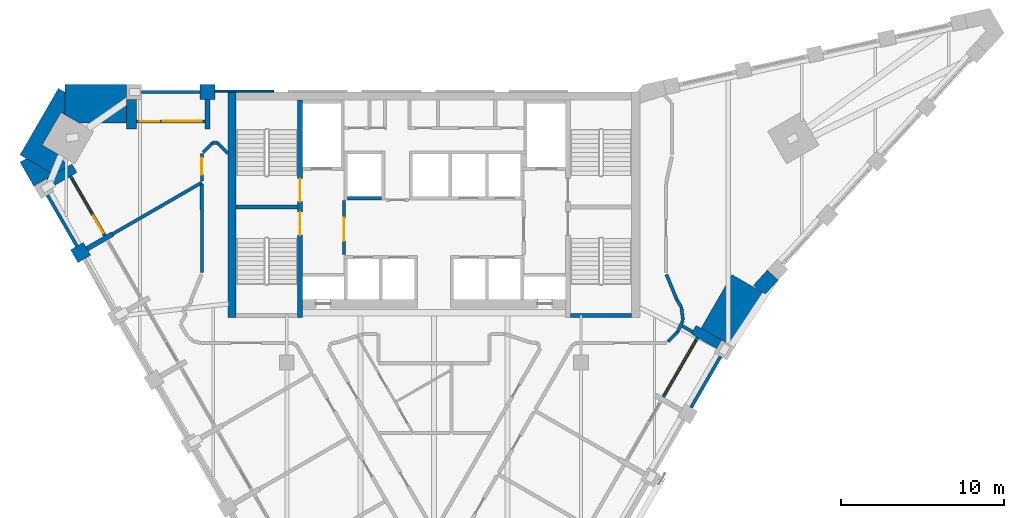
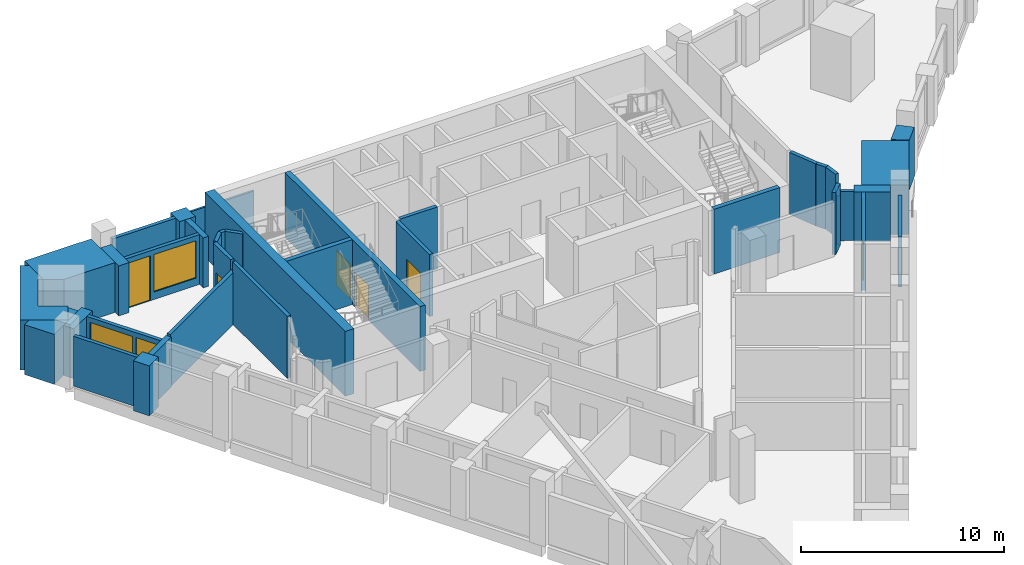
# One storey, part 5 of 9: 37 walls, 6 doors, 3 windows, 9 openings.
"""IFC4 building model written with IfcOpenShell, lengths in metres."""

from ifc_helpers import new_model, si_unit, direction, frame, frame_2d, origin, place, context, subcontext, project, spatial, polyline, rectangle, outline, extrude, material, layer, layer_set, type_object, element, fill, save


model = new_model("IFC4")

# Units and contexts
model_context = context("Model", 3, precision=1e-05, world=origin(), true_north=direction((0.0, 1.0)))
body_context = subcontext(model_context, "Body", "Model", "MODEL_VIEW")
ifc_project = project(units=[si_unit("LENGTHUNIT", "METRE"), si_unit("AREAUNIT", "SQUARE_METRE"), si_unit("VOLUMEUNIT", "CUBIC_METRE"), si_unit("PLANEANGLEUNIT", "RADIAN"), si_unit("MASSUNIT", "GRAM", prefix="KILO")], contexts=[model_context])

# Site, building, storey
site_placement = place(None, origin())
site = spatial("IfcSite", under=ifc_project, at=site_placement, CompositionType="ELEMENT")
building_placement = place(site_placement, origin())
building = spatial("IfcBuilding", under=site, at=building_placement, Name="Calabash Gate Tower", CompositionType="ELEMENT")
storey_placement = place(building_placement, frame((0.0, 0.0, 256.0)))
storey = spatial("IfcBuildingStorey", under=building, at=storey_placement, Name="L61", CompositionType="ELEMENT", Elevation=256.0)

# Walls
ifc_material_1 = material(Name="Terracotta brick masonry, exposed face", Category="masonry")
ifc_layer_1 = layer(ifc_material_1, 2.35009765625)
ifc_layer_set_1 = layer_set([ifc_layer_1], Name="Brick corner mass wall 2350")
wall_type_1 = type_object("IfcWallType", Name="Brick corner mass wall 2350", PredefinedType="SOLIDWALL", material=ifc_layer_set_1)
wall_1_placement = place(storey_placement, origin())
element("IfcWall", 1, at=wall_1_placement, inside=storey, type_object=wall_type_1, Name="Brick corner pier S17 2", PredefinedType="SOLIDWALL", context=body_context, shape_type="SweptSolid", body=[
    extrude(outline(polyline([(18.377685546875, 3.423828125), (18.377685546875, 3.423583984375), (18.377685546875, 3.423583984375), (20.271240234375, 6.703125), (18.236083984375, 7.878173828125), (16.342529296875, 4.5986328125), (17.598388671875, 3.873779296875), (17.598388671875, 3.873779296875), (18.377685546875, 3.423828125)])), origin(), (0.0, 0.0, 1.0), 2.9736328125),
])
wall_2_placement = place(storey_placement, origin())
element("IfcWall", 2, at=wall_2_placement, inside=storey, type_object=wall_type_1, Name="Brick corner pier S17 3a", PredefinedType="SOLIDWALL", context=body_context, shape_type="SweptSolid", body=[
    extrude(outline(polyline([(-21.698974609375, 17.152587890625), (-18.805419921875, 17.152587890625), (-18.805419921875, 19.50244140625), (-22.59228515625, 19.50244140625), (-22.59228515625, 17.66845703125), (-21.698974609375, 17.152587890625)])), origin(), (0.0, 0.0, 1.0), 3.0),
])
wall_3_placement = place(storey_placement, origin())
element("IfcWall", 3, at=wall_3_placement, inside=storey, type_object=wall_type_1, Name="Brick corner pier S17 3b", PredefinedType="SOLIDWALL", context=body_context, shape_type="SweptSolid", body=[
    extrude(outline(polyline([(-22.822021484375, 17.801025390625), (-22.59228515625, 17.66845703125), (-22.59228515625, 19.052490234375), (-22.98193359375, 19.277587890625), (-25.331298828125, 15.20849609375), (-23.296142578125, 14.033447265625), (-22.6962890625, 15.072509765625), (-23.971923828125, 15.80908203125), (-22.822021484375, 17.801025390625)])), origin(), (0.0, 0.0, 1.0), 3.0),
])
wall_4_placement = place(storey_placement, origin())
element("IfcWall", 4, at=wall_4_placement, inside=storey, type_object=wall_type_1, Name="Brick corner pier S17 3c", PredefinedType="SOLIDWALL", context=body_context, shape_type="SweptSolid", body=[
    extrude(outline(polyline([(-22.747802734375, 14.9833984375), (-23.296142578125, 14.033447265625), (-24.941650390625, 14.9833984375), (-25.331298828125, 14.758544921875), (-24.487548828125, 13.296875), (-22.452392578125, 14.471923828125), (-22.747802734375, 14.9833984375)])), origin(), (0.0, 0.0, 1.0), 3.0),
])
ifc_material_2 = material(Name="Terracotta brick masonry, exposed face", Category="masonry")
ifc_layer_2 = layer(ifc_material_2, 0.89990234375)
ifc_layer_set_2 = layer_set([ifc_layer_2], Name="Brick end wall 900")
wall_type_2 = type_object("IfcWallType", Name="Brick end wall 900", PredefinedType="SOLIDWALL", material=ifc_layer_set_2)
wall_5_placement = place(storey_placement, frame((-21.39794921875, 8.845458984375, 0.0), z_axis=(0.0, 0.0, 1.0), x_axis=(-0.50001992892, 0.866013897511, 0.0)))
element("IfcWall", 5, at=wall_5_placement, inside=storey, type_object=wall_type_2, Name="Brick pier S17 SW0.1", PredefinedType="SOLIDWALL", context=body_context, shape_type="SweptSolid", body=[
    extrude(rectangle(XDim=0.89990234375, YDim=0.89990234375, at=frame_2d((0.449951171875, 0.0))), origin(), (0.0, 0.0, 1.0), 3.0),
])
wall_6_placement = place(storey_placement, origin())
element("IfcWall", 6, at=wall_6_placement, inside=storey, type_object=wall_type_2, Name="Brick pier S17 N6.5", PredefinedType="SOLIDWALL", context=body_context, shape_type="SweptSolid", body=[
    extrude(outline(polyline([(-13.405517578125, 19.50244140625), (-14.305419921875, 19.50244140625), (-14.305419921875, 18.6025390625), (-13.405517578125, 18.6025390625), (-13.405517578125, 19.50244140625)])), origin(), (0.0, 0.0, 1.0), 3.0),
])
wall_7_placement = place(storey_placement, origin())
element("IfcWall", 7, at=wall_7_placement, inside=storey, type_object=wall_type_2, Name="Brick end wall S17 1", PredefinedType="SOLIDWALL", context=body_context, shape_type="SweptSolid", body=[
    extrude(outline(polyline([(20.394775390625, 8.15625), (19.54931640625, 7.23193359375), (19.88134765625, 6.92822265625), (20.271240234375, 6.703125), (20.24658203125, 6.66064453125), (21.058837890625, 7.548828125), (20.394775390625, 8.15625)])), origin(), (0.0, 0.0, 1.0), 3.0),
])
ifc_material_3 = material(Name="Terracotta brick masonry, exposed face", Category="masonry")
ifc_layer_3 = layer(ifc_material_3, 0.300048828125)
ifc_layer_set_3 = layer_set([ifc_layer_3], Name="Brick loggia cheek wall 300")
wall_type_3 = type_object("IfcWallType", Name="Brick loggia cheek wall 300", PredefinedType="SOLIDWALL", material=ifc_layer_set_3)
wall_8_placement = place(storey_placement, frame((-23.55810546875, 13.487060546875, 0.0), z_axis=(0.0, 0.0, 1.0), x_axis=(0.865989075817, 0.500062916607, 0.0)))
element("IfcWall", 8, at=wall_8_placement, inside=storey, type_object=wall_type_3, Name="Loggia cheek S17 SW0.0", PredefinedType="SOLIDWALL", context=body_context, shape_type="SweptSolid", body=[
    extrude(rectangle(XDim=1.800048828125, YDim=0.60009765625, at=frame_2d((0.89990234375, 0.0))), origin(), (0.0, 0.0, 1.0), 3.0),
])
wall_9_placement = place(storey_placement, frame((-21.233154296875, 9.460205078125, 0.0), z_axis=(0.0, 0.0, 1.0), x_axis=(0.866047807691, 0.499961193289, 0.0)))
element("IfcWall", 9, at=wall_9_placement, inside=storey, type_object=wall_type_3, Name="Loggia cheek S17 SW0.1", PredefinedType="SOLIDWALL", context=body_context, shape_type="SweptSolid", body=[
    extrude(rectangle(XDim=1.800048828125, YDim=0.300048828125, at=frame_2d((0.89990234375, 0.0))), origin(), (0.0, 0.0, 1.0), 3.0),
])
wall_10_placement = place(storey_placement, frame((17.4482421875, 3.61376953125, 0.0), z_axis=(0.0, 0.0, 1.0), x_axis=(-0.865989075817, 0.500062916607, 0.0)))
element("IfcWall", 10, at=wall_10_placement, inside=storey, type_object=wall_type_3, Name="Loggia cheek S17 SE2.6", PredefinedType="SOLIDWALL", context=body_context, shape_type="SweptSolid", body=[
    extrude(rectangle(XDim=1.800048828125, YDim=0.60009765625, at=frame_2d((0.89990234375, 0.0))), origin(), (0.0, 0.0, 1.0), 2.9501953125),
])
wall_11_placement = place(storey_placement, origin())
element("IfcWall", 11, at=wall_11_placement, inside=storey, type_object=wall_type_3, Name="Loggia cheek S17 N6.5", PredefinedType="SOLIDWALL", context=body_context, shape_type="SweptSolid", body=[
    extrude(outline(polyline([(-13.705322265625, 16.802490234375), (-13.705322265625, 18.6025390625), (-14.00537109375, 18.6025390625), (-14.00537109375, 16.802490234375), (-13.705322265625, 16.802490234375)])), origin(), (0.0, 0.0, 1.0), 3.0),
])
wall_12_placement = place(storey_placement, origin())
element("IfcWall", 12, at=wall_12_placement, inside=storey, type_object=wall_type_3, Name="Loggia cheek S17 N6.6", PredefinedType="SOLIDWALL", context=body_context, shape_type="SweptSolid", body=[
    extrude(outline(polyline([(-18.805419921875, 18.6025390625), (-18.805419921875, 16.802490234375), (-18.205322265625, 16.802490234375), (-18.205322265625, 18.6025390625), (-18.805419921875, 18.6025390625)])), origin(), (0.0, 0.0, 1.0), 3.0),
])
ifc_material_4 = material(Name="Concrete C60/75", Category="concrete")
ifc_layer_4 = layer(ifc_material_4, 0.25)
ifc_layer_set_4 = layer_set([ifc_layer_4], Name="Core wall 250 Concrete C60/75")
wall_type_4 = type_object("IfcWallType", Name="Core wall 250 Concrete C60/75", PredefinedType="SHEAR", material=ifc_layer_set_4)
for number, where, z_axis, x_axis, name in (
    (13, (-12.10009765625, 12.027587890625, 0.0), (0.0, 0.0, 1.0), (1.0, 0.0, 0.0), "Core wall Z5-MIDW L61"),
    (14, (8.35009765625, 5.377685546875, 0.0), (0.0, 0.0, 1.0), (1.0, 0.0, 0.0), "Core wall Z5-SSE L61"),
):
    element("IfcWall", number, at=place(storey_placement, frame(where, z_axis=z_axis, x_axis=x_axis)), inside=storey, type_object=wall_type_4, Name=name, PredefinedType="SHEAR", context=body_context, shape_type="SweptSolid", body=[
        extrude(rectangle(XDim=3.75, YDim=0.25, at=frame_2d((1.875, 0.0))), origin(), (0.0, 0.0, 1.0), 3.89990234375),
    ])

# Wall, openings, doors
ifc_material_5 = material(Name="Concrete C60/75", Category="concrete")
ifc_layer_5 = layer(ifc_material_5, 0.300048828125)
ifc_layer_set_5 = layer_set([ifc_layer_5], Name="Core wall 300 Concrete C60/75")
wall_type_5 = type_object("IfcWallType", Name="Core wall 300 Concrete C60/75", PredefinedType="SHEAR", material=ifc_layer_set_5)
wall_13_placement = place(storey_placement, frame((-8.199951171875, 5.252685546875, 0.0), z_axis=(0.0, 0.0, 1.0), x_axis=(0.0, 1.0, 0.0)))
wall_13 = element("IfcWall", 15, at=wall_13_placement, inside=storey, type_object=wall_type_5, Name="Core wall Z5-PARTW L61", PredefinedType="SHEAR", context=body_context, shape_type="SweptSolid", body=[
    extrude(rectangle(XDim=13.2998046875, YDim=0.300048828125, at=frame_2d((6.64990234375, 0.0))), origin(), (0.0, 0.0, 1.0), 3.89990234375),
])
opening_1_placement = place(wall_13_placement, frame((7.10009765625, 0.0, 0.0)))
opening_1 = element("IfcOpeningElement", 16, at=opening_1_placement, cuts=wall_13, Name="Opening O9-011", PredefinedType="OPENING", context=body_context, shape_type="SweptSolid", body=[
    extrude(rectangle(XDim=1.39990234375, YDim=2.10009765625, at=frame_2d((0.699951171875, 1.050048828125))), frame((0.0, 0.159912109375, 0.0), z_axis=(0.0, -1.0, 0.0), x_axis=(1.0, 0.0, 0.0)), (0.0, 0.0, 1.0), 0.320068359375),
])
opening_2_placement = place(wall_13_placement, frame((5.050048828125, 0.0, 0.0)))
opening_2 = element("IfcOpeningElement", 17, at=opening_2_placement, cuts=wall_13, Name="Opening O9-012", PredefinedType="OPENING", context=body_context, shape_type="SweptSolid", body=[
    extrude(rectangle(XDim=1.39990234375, YDim=2.10009765625, at=frame_2d((0.699951171875, 1.050048828125))), frame((0.0, 0.159912109375, 0.0), z_axis=(0.0, -1.0, 0.0), x_axis=(1.0, 0.0, 0.0)), (0.0, 0.0, 1.0), 0.320068359375),
])
ifc_material_6 = material(Name="Steel fire door set with fire-resisting glazing", Category="steel")
door_type_1 = type_object("IfcDoorType", Name="Fire door D05 1400x2100 FD90", OperationType="NOTDEFINED", PredefinedType="DOOR", material=ifc_material_6)
door_1_placement = place(opening_1_placement, origin())
door_1 = element("IfcDoor", 18, at=door_1_placement, inside=storey, type_object=door_type_1, Name="Exit stair door ST1", OperationType="SINGLE_SWING_LEFT", OverallHeight=2.10009765625, OverallWidth=1.39990234375, PredefinedType="DOOR", context=body_context, shape_type="SweptSolid", body=[
    extrude(rectangle(XDim=1.39990234375, YDim=2.10009765625, at=frame_2d((0.699951171875, 1.050048828125))), frame((0.0, 0.02490234375, 0.0), z_axis=(0.0, -1.0, 0.0), x_axis=(1.0, 0.0, 0.0)), (0.0, 0.0, 1.0), 0.050048828125),
])
fill(opening_1, door_1)
door_2_placement = place(opening_2_placement, origin())
door_2 = element("IfcDoor", 19, at=door_2_placement, inside=storey, type_object=door_type_1, Name="Exit stair door ST2", OperationType="SINGLE_SWING_LEFT", OverallHeight=2.10009765625, OverallWidth=1.39990234375, PredefinedType="DOOR", context=body_context, shape_type="SweptSolid", body=[
    extrude(rectangle(XDim=1.39990234375, YDim=2.10009765625, at=frame_2d((0.699951171875, 1.050048828125))), frame((0.0, 0.02490234375, 0.0), z_axis=(0.0, -1.0, 0.0), x_axis=(1.0, 0.0, 0.0)), (0.0, 0.0, 1.0), 0.050048828125),
])
fill(opening_2, door_2)

# Walls
ifc_material_7 = material(Name="Concrete C60/75", Category="concrete")
ifc_layer_6 = layer(ifc_material_7, 0.5)
ifc_layer_set_6 = layer_set([ifc_layer_6], Name="Core wall 500 Concrete C60/75")
wall_type_6 = type_object("IfcWallType", Name="Core wall 500 Concrete C60/75", PredefinedType="SHEAR", material=ifc_layer_set_6)
wall_14_placement = place(storey_placement, frame((-12.35009765625, 5.252685546875, 0.0), z_axis=(0.0, 0.0, 1.0), x_axis=(0.0, 1.0, 0.0)))
element("IfcWall", 20, at=wall_14_placement, inside=storey, type_object=wall_type_6, Name="Core wall Z5-COLW L61", PredefinedType="SHEAR", context=body_context, shape_type="SweptSolid", body=[
    extrude(rectangle(XDim=13.7998046875, YDim=0.5, at=frame_2d((6.89990234375, 0.0))), origin(), (0.0, 0.0, 1.0), 3.89990234375),
])
ifc_material_8 = material(Name="Gypsum board on steel studs, mineral wool", Category="steel")
ifc_layer_7 = layer(ifc_material_8, 0.199951171875)
ifc_layer_set_7 = layer_set([ifc_layer_7], Name="Partition 200 gypsum board EI 60")
wall_type_7 = type_object("IfcWallType", Name="Partition 200 gypsum board EI 60", PredefinedType="PARTITIONING", material=ifc_layer_set_7)
wall_15_placement = place(storey_placement, frame((14.310791015625, 3.770263671875, 0.0), z_axis=(0.0, 0.0, 1.0), x_axis=(0.707253195258, 0.706960336792, 0.0)))
element("IfcWall", 21, at=wall_15_placement, inside=storey, type_object=wall_type_7, Name="Partition", PredefinedType="PARTITIONING", context=body_context, shape_type="SweptSolid", body=[
    extrude(rectangle(XDim=0.833740234375, YDim=0.199951171875, at=frame_2d((0.4169921875, 0.0))), origin(), (0.0, 0.0, 1.0), 3.72998046875),
])
wall_16_placement = place(storey_placement, frame((14.900390625, 4.359619140625, 0.0), z_axis=(0.0, 0.0, 1.0), x_axis=(0.423133460634, 0.906067367524, 0.0)))
element("IfcWall", 22, at=wall_16_placement, inside=storey, type_object=wall_type_7, Name="Partition", PredefinedType="PARTITIONING", context=body_context, shape_type="SweptSolid", body=[
    extrude(rectangle(XDim=0.808349609375, YDim=0.199951171875, at=frame_2d((0.404296875, 0.0))), origin(), (0.0, 0.0, 1.0), 2.9501953125),
])
wall_17_placement = place(storey_placement, frame((15.189697265625, 4.74267578125, 0.0), z_axis=(0.0, 0.0, 1.0), x_axis=(0.867114884312, -0.498108198491, 0.0)))
element("IfcWall", 23, at=wall_17_placement, inside=storey, type_object=wall_type_7, Name="Partition", PredefinedType="PARTITIONING", context=body_context, shape_type="SweptSolid", body=[
    extrude(rectangle(XDim=0.720458984375, YDim=0.199951171875, at=frame_2d((0.3603515625, 0.0))), origin(), (0.0, 0.0, 1.0), 2.9501953125),
])
wall_18_placement = place(storey_placement, frame((15.137451171875, 5.88916015625, 0.0), z_axis=(0.0, 0.0, 1.0), x_axis=(0.130572336197, -0.991438785312, 0.0)))
element("IfcWall", 24, at=wall_18_placement, inside=storey, type_object=wall_type_7, Name="Partition", PredefinedType="PARTITIONING", context=body_context, shape_type="SweptSolid", body=[
    extrude(rectangle(XDim=0.803955078125, YDim=0.199951171875, at=frame_2d((0.40185546875, 0.0))), origin(), (0.0, 0.0, 1.0), 3.72998046875),
])
wall_19_placement = place(storey_placement, frame((14.8505859375, 6.37353515625, 0.0), z_axis=(0.0, 0.0, 1.0), x_axis=(0.509576505793, -0.860425351058, 0.0)))
element("IfcWall", 25, at=wall_19_placement, inside=storey, type_object=wall_type_7, Name="Partition", PredefinedType="PARTITIONING", context=body_context, shape_type="SweptSolid", body=[
    extrude(rectangle(XDim=0.56298828125, YDim=0.199951171875, at=frame_2d((0.281494140625, 0.0))), origin(), (0.0, 0.0, 1.0), 3.72998046875),
])
wall_20_placement = place(storey_placement, frame((14.22509765625, 7.892822265625, 0.0), z_axis=(0.0, 0.0, 1.0), x_axis=(0.380697489052, -0.924699638709, 0.0)))
element("IfcWall", 26, at=wall_20_placement, inside=storey, type_object=wall_type_7, Name="Partition", PredefinedType="PARTITIONING", context=body_context, shape_type="SweptSolid", body=[
    extrude(rectangle(XDim=1.64306640625, YDim=0.199951171875, at=frame_2d((0.821533203125, 0.0))), origin(), (0.0, 0.0, 1.0), 3.72998046875),
])
wall_21_placement = place(storey_placement, frame((-14.201904296875, 13.41943359375, 0.0), z_axis=(0.0, 0.0, 1.0), x_axis=(0.000271161919, -0.999999963236, 0.0)))
element("IfcWall", 27, at=wall_21_placement, inside=storey, type_object=wall_type_7, Name="Partition", PredefinedType="PARTITIONING", context=body_context, shape_type="SweptSolid", body=[
    extrude(rectangle(XDim=5.402099609375, YDim=0.199951171875, at=frame_2d((2.701171875, 0.0))), origin(), (0.0, 0.0, 1.0), 3.72998046875),
])
wall_22_placement = place(storey_placement, frame((-19.67431640625, 10.3603515625, 0.0), z_axis=(0.0, 0.0, 1.0), x_axis=(0.866038288688, 0.499977682029, 0.0)))
element("IfcWall", 28, at=wall_22_placement, inside=storey, type_object=wall_type_7, Name="Partition", PredefinedType="PARTITIONING", context=body_context, shape_type="SweptSolid", body=[
    extrude(rectangle(XDim=6.320556640625, YDim=0.199951171875, at=frame_2d((3.16015625, 0.0))), origin(), (0.0, 0.0, 1.0), 3.1279296875),
])

# Wall, opening, door
wall_23_placement = place(storey_placement, frame((-14.200439453125, 13.62060546875, 0.0), z_axis=(0.0, 0.0, 1.0), x_axis=(0.0, 1.0, 0.0)))
wall_23 = element("IfcWall", 29, at=wall_23_placement, inside=storey, type_object=wall_type_7, Name="Partition", PredefinedType="PARTITIONING", context=body_context, shape_type="SweptSolid", body=[
    extrude(rectangle(XDim=1.67236328125, YDim=0.199951171875, at=frame_2d((0.836181640625, 0.0))), origin(), (0.0, 0.0, 1.0), 3.72998046875),
])
opening_3_placement = place(wall_23_placement, frame((0.385009765625, 0.0, 0.0)))
opening_3 = element("IfcOpeningElement", 30, at=opening_3_placement, cuts=wall_23, Name="Opening 59-61-009", PredefinedType="OPENING", context=body_context, shape_type="SweptSolid", body=[
    extrude(rectangle(XDim=1.0, YDim=2.10009765625, at=frame_2d((0.5, 1.050048828125))), frame((0.0, 0.10986328125, 0.0), z_axis=(0.0, -1.0, 0.0), x_axis=(1.0, 0.0, 0.0)), (0.0, 0.0, 1.0), 0.219970703125),
])
ifc_material_9 = material(Name="Steel fire door set with fire-resisting glazing", Category="steel")
door_type_2 = type_object("IfcDoorType", Name="LD2 Meeting room door 1000x2100", OperationType="NOTDEFINED", PredefinedType="DOOR", material=ifc_material_9)
door_3_placement = place(opening_3_placement, origin())
door_3 = element("IfcDoor", 31, at=door_3_placement, inside=storey, type_object=door_type_2, Name="Meeting room door", OperationType="SINGLE_SWING_LEFT", OverallHeight=2.10009765625, OverallWidth=1.0, PredefinedType="DOOR", context=body_context, shape_type="SweptSolid", body=[
    extrude(rectangle(XDim=1.0, YDim=2.10009765625, at=frame_2d((0.5, 1.050048828125))), frame((0.0, 0.02490234375, 0.0), z_axis=(0.0, -1.0, 0.0), x_axis=(1.0, 0.0, 0.0)), (0.0, 0.0, 1.0), 0.050048828125),
])
fill(opening_3, door_3)

# Walls
wall_24_placement = place(storey_placement, frame((-14.129638671875, 15.363525390625, 0.0), z_axis=(0.0, 0.0, 1.0), x_axis=(0.707106781187, 0.707106781187, 0.0)))
element("IfcWall", 32, at=wall_24_placement, inside=storey, type_object=wall_type_7, Name="Partition", PredefinedType="PARTITIONING", context=body_context, shape_type="SweptSolid", body=[
    extrude(rectangle(XDim=0.833740234375, YDim=0.199951171875, at=frame_2d((0.4169921875, 0.0))), origin(), (0.0, 0.0, 1.0), 3.72998046875),
])
wall_25_placement = place(storey_placement, frame((-13.5400390625, 15.953125, 0.0), z_axis=(0.0, 0.0, 1.0), x_axis=(0.99999962061, -0.000871079809, 0.0)))
element("IfcWall", 33, at=wall_25_placement, inside=storey, type_object=wall_type_7, Name="Partition", PredefinedType="PARTITIONING", context=body_context, shape_type="SweptSolid", body=[
    extrude(rectangle(XDim=0.2802734375, YDim=0.199951171875, at=frame_2d((0.14013671875, 0.0))), origin(), (0.0, 0.0, 1.0), 3.72998046875),
])
wall_26_placement = place(storey_placement, frame((-13.259765625, 15.952880859375, 0.0), z_axis=(0.0, 0.0, 1.0), x_axis=(0.708285399161, -0.705926195389, 0.0)))
element("IfcWall", 34, at=wall_26_placement, inside=storey, type_object=wall_type_7, Name="Partition", PredefinedType="PARTITIONING", context=body_context, shape_type="SweptSolid", body=[
    extrude(rectangle(XDim=0.931396484375, YDim=0.199951171875, at=frame_2d((0.4658203125, 0.0))), origin(), (0.0, 0.0, 1.0), 3.72998046875),
])

# Wall, opening, door
ifc_material_10 = material(Name="Concrete C40/50", Category="concrete")
ifc_layer_8 = layer(ifc_material_10, 0.199951171875)
ifc_layer_set_8 = layer_set([ifc_layer_8], Name="Shaft wall 200 Concrete C40/50")
wall_type_8 = type_object("IfcWallType", Name="Shaft wall 200 Concrete C40/50", PredefinedType="SOLIDWALL", material=ifc_layer_set_8)
wall_27_placement = place(storey_placement, frame((-5.5, 9.1025390625, 0.0), z_axis=(0.0, 0.0, 1.0), x_axis=(0.0, 1.0, 0.0)))
wall_27 = element("IfcWall", 35, at=wall_27_placement, inside=storey, type_object=wall_type_8, Name="Shaft wall", PredefinedType="SOLIDWALL", context=body_context, shape_type="SweptSolid", body=[
    extrude(rectangle(XDim=3.300048828125, YDim=0.199951171875, at=frame_2d((1.64990234375, 0.0))), origin(), (0.0, 0.0, 1.0), 3.72998046875),
])
opening_4_placement = place(wall_27_placement, frame((0.85009765625, 0.0, 0.0)))
opening_4 = element("IfcOpeningElement", 36, at=opening_4_placement, cuts=wall_27, Name="Opening O9-003", PredefinedType="OPENING", context=body_context, shape_type="SweptSolid", body=[
    extrude(rectangle(XDim=1.39990234375, YDim=2.10009765625, at=frame_2d((0.699951171875, 1.050048828125))), frame((0.0, 0.10986328125, 0.0), z_axis=(0.0, -1.0, 0.0), x_axis=(1.0, 0.0, 0.0)), (0.0, 0.0, 1.0), 0.219970703125),
])
door_4_placement = place(opening_4_placement, origin())
door_4 = element("IfcDoor", 37, at=door_4_placement, inside=storey, type_object=door_type_1, Name="Firefighting Lobby W door", OperationType="SINGLE_SWING_RIGHT", OverallHeight=2.10009765625, OverallWidth=1.39990234375, PredefinedType="DOOR", context=body_context, shape_type="SweptSolid", body=[
    extrude(rectangle(XDim=1.39990234375, YDim=2.10009765625, at=frame_2d((0.699951171875, 1.050048828125))), frame((0.0, 0.02490234375, 0.0), z_axis=(0.0, -1.0, 0.0), x_axis=(1.0, 0.0, 0.0)), (0.0, 0.0, 1.0), 0.050048828125),
])
fill(opening_4, door_4)

# Walls
wall_28_placement = place(storey_placement, frame((-5.300048828125, 12.552490234375, 0.0), z_axis=(0.0, 0.0, 1.0), x_axis=(1.0, 0.0, 0.0)))
element("IfcWall", 38, at=wall_28_placement, inside=storey, type_object=wall_type_8, Name="Shaft wall", PredefinedType="SOLIDWALL", context=body_context, shape_type="SweptSolid", body=[
    extrude(rectangle(XDim=2.10009765625, YDim=0.199951171875, at=frame_2d((1.050048828125, 0.0))), origin(), (0.0, 0.0, 1.0), 3.72998046875),
])
ifc_material_11 = material(Name="Terracotta brick masonry, perforated", Category="masonry")
ifc_layer_9 = layer(ifc_material_11, 0.1201171875)
ifc_layer_set_9 = layer_set([ifc_layer_9], Name="Terracotta jaali cladding A 120")
wall_type_9 = type_object("IfcWallType", Name="Terracotta jaali cladding A 120", PredefinedType="SOLIDWALL", material=ifc_layer_set_9)
wall_29_placement = place(storey_placement, origin())
element("IfcWall", 39, at=wall_29_placement, inside=storey, type_object=wall_type_9, Name="Jaali cladding S17 N6.5", PredefinedType="SOLIDWALL", context=body_context, shape_type="SweptSolid", body=[
    extrude(outline(polyline([(-13.405029296875, 19.172607421875), (-13.405029296875, 19.052490234375), (-9.805419921875, 19.052490234375), (-9.805419921875, 19.172607421875), (-13.405029296875, 19.172607421875)])), origin(), (0.0, 0.0, 1.0), 3.0),
])
ifc_material_12 = material(Name="Terracotta brick masonry, perforated", Category="masonry")
ifc_layer_10 = layer(ifc_material_12, 0.199951171875)
ifc_layer_set_10 = layer_set([ifc_layer_10], Name="Terracotta jaali screen A")
wall_type_10 = type_object("IfcWallType", Name="Terracotta jaali screen A", PredefinedType="SOLIDWALL", material=ifc_layer_set_10)
for number, where, z_axis, x_axis, name in (
    (40, (-23.64794921875, 12.742431640625, 0.0), (0.0, 0.0, 1.0), (0.500012057535, -0.866018442252, 0.0), "SCREEN A S17 SW0.1"),
    (41, (15.738037109375, -0.24853515625, 0.0), (0.0, 0.0, 1.0), (0.500012057535, 0.866018442252, 0.0), "SCREEN A S17 SE2.6"),
):
    element("IfcWall", number, at=place(storey_placement, frame(where, z_axis=z_axis, x_axis=x_axis)), inside=storey, type_object=wall_type_10, Name=name, PredefinedType="SOLIDWALL", context=body_context, shape_type="SweptSolid", body=[
        extrude(rectangle(XDim=3.60009765625, YDim=0.199951171875, at=frame_2d((1.800048828125, 0.0))), origin(), (0.0, 0.0, 1.0), 3.0),
    ])
wall_30_placement = place(storey_placement, origin())
element("IfcWall", 42, at=wall_30_placement, inside=storey, type_object=wall_type_10, Name="SCREEN A S17 N6.6", PredefinedType="SOLIDWALL", context=body_context, shape_type="SweptSolid", body=[
    extrude(outline(polyline([(-14.305419921875, 19.152587890625), (-17.903076171875, 19.152587890625), (-17.903076171875, 18.95263671875), (-14.305419921875, 18.95263671875), (-14.305419921875, 19.152587890625)])), origin(), (0.0, 0.0, 1.0), 3.0),
])

# Wall, openings, door, window
ifc_material_13 = material(Name="Aluminium framed window wall with insulated spandrel", Category="aluminium")
ifc_layer_11 = layer(ifc_material_13, 0.199951171875)
ifc_layer_set_11 = layer_set([ifc_layer_11], Name="Window wall 200")
wall_type_11 = type_object("IfcWallType", Name="Window wall 200", PredefinedType="ELEMENTEDWALL", material=ifc_layer_set_11)
wall_31_placement = place(storey_placement, frame((-22.239013671875, 13.90234375, 0.0), z_axis=(0.0, 0.0, 1.0), x_axis=(0.500027713859, -0.866009402589, 0.0)))
wall_31 = element("IfcWall", 43, at=wall_31_placement, inside=storey, type_object=wall_type_11, Name="Window wall S17 SW0.1", PredefinedType="ELEMENTEDWALL", context=body_context, shape_type="SweptSolid", body=[
    extrude(rectangle(XDim=4.199951171875, YDim=0.199951171875, at=frame_2d((2.10009765625, 0.0))), origin(), (0.0, 0.0, 1.0), 3.0),
])
opening_5_placement = place(wall_31_placement, frame((0.199951171875, 0.0, 0.449951171875)))
opening_5 = element("IfcOpeningElement", 44, at=opening_5_placement, cuts=wall_31, Name="Opening OW1", PredefinedType="OPENING", context=body_context, shape_type="SweptSolid", body=[
    extrude(rectangle(XDim=2.39990234375, YDim=2.25, at=frame_2d((1.199951171875, 1.125))), frame((0.0, 0.10986328125, 0.0), z_axis=(0.0, -1.0, 0.0), x_axis=(1.0, 0.0, 0.0)), (0.0, 0.0, 1.0), 0.219970703125),
])
opening_6_placement = place(wall_31_placement, frame((2.800048828125, 0.0, 0.0)))
opening_6 = element("IfcOpeningElement", 45, at=opening_6_placement, cuts=wall_31, Name="Opening O9-017", PredefinedType="OPENING", context=body_context, shape_type="SweptSolid", body=[
    extrude(rectangle(XDim=1.199951171875, YDim=2.699951171875, at=frame_2d((0.60009765625, 1.35009765625))), frame((0.0, 0.10986328125, 0.0), z_axis=(0.0, -1.0, 0.0), x_axis=(1.0, 0.0, 0.0)), (0.0, 0.0, 1.0), 0.219970703125),
])
ifc_material_14 = material(Name="Anodised aluminium frame, bronze finish, impact-rated laminated clear glazing", Category="aluminium")
door_type_3 = type_object("IfcDoorType", Name="Loggia door DO1 1200x2700", OperationType="SLIDING_TO_LEFT", PredefinedType="DOOR", material=ifc_material_14)
door_5_placement = place(opening_6_placement, origin())
door_5 = element("IfcDoor", 46, at=door_5_placement, inside=storey, type_object=door_type_3, Name="Loggia door S17 SW0.1", OperationType="SINGLE_SWING_LEFT", OverallHeight=2.699951171875, OverallWidth=1.199951171875, PredefinedType="DOOR", context=body_context, shape_type="SweptSolid", body=[
    extrude(rectangle(XDim=1.199951171875, YDim=2.699951171875, at=frame_2d((0.60009765625, 1.35009765625))), frame((0.0, 0.02490234375, 0.0), z_axis=(0.0, -1.0, 0.0), x_axis=(1.0, 0.0, 0.0)), (0.0, 0.0, 1.0), 0.050048828125),
])
fill(opening_6, door_5)
ifc_material_15 = material(Name="Anodised aluminium frame, bronze finish, impact-rated laminated clear glazing", Category="aluminium")
window_type_1 = type_object("IfcWindowType", Name="Window OW1 2400x2250", PartitioningType="DOUBLE_PANEL_VERTICAL", PredefinedType="WINDOW", material=ifc_material_15)
window_1_placement = place(opening_5_placement, origin())
window_1 = element("IfcWindow", 47, at=window_1_placement, inside=storey, type_object=window_type_1, Name="Window OW1 S17 SW0.1", OverallHeight=2.25, OverallWidth=2.39990234375, PartitioningType="SINGLE_PANEL", PredefinedType="WINDOW", context=body_context, shape_type="SweptSolid", body=[
    extrude(rectangle(XDim=2.39990234375, YDim=2.25, at=frame_2d((1.199951171875, 1.125))), frame((0.0, 0.030029296875, 0.0), z_axis=(0.0, -1.0, 0.0), x_axis=(1.0, 0.0, 0.0)), (0.0, 0.0, 1.0), 0.06005859375),
])
fill(opening_5, window_1)

# Wall, opening, window
wall_32_placement = place(storey_placement, frame((14.029052734375, 0.391845703125, 0.0), z_axis=(0.0, 0.0, 1.0), x_axis=(0.500027713859, 0.866009402589, 0.0)))
wall_32 = element("IfcWall", 48, at=wall_32_placement, inside=storey, type_object=wall_type_11, Name="Window wall S17 SE2.6", PredefinedType="ELEMENTEDWALL", context=body_context, shape_type="SweptSolid", body=[
    extrude(rectangle(XDim=4.199951171875, YDim=0.199951171875, at=frame_2d((2.10009765625, 0.0))), origin(), (0.0, 0.0, 1.0), 2.9501953125),
])
opening_7_placement = place(wall_32_placement, frame((0.199951171875, 0.0, 0.449951171875)))
opening_7 = element("IfcOpeningElement", 49, at=opening_7_placement, cuts=wall_32, Name="Opening OW2", PredefinedType="OPENING", context=body_context, shape_type="SweptSolid", body=[
    extrude(rectangle(XDim=3.800048828125, YDim=2.25, at=frame_2d((1.89990234375, 1.125))), frame((0.0, 0.10986328125, 0.0), z_axis=(0.0, -1.0, 0.0), x_axis=(1.0, 0.0, 0.0)), (0.0, 0.0, 1.0), 0.219970703125),
])
ifc_material_16 = material(Name="Anodised aluminium frame, bronze finish, impact-rated laminated clear glazing", Category="aluminium")
window_type_2 = type_object("IfcWindowType", Name="Window OW2 3800x2250", PartitioningType="TRIPLE_PANEL_VERTICAL", PredefinedType="WINDOW", material=ifc_material_16)
window_2_placement = place(opening_7_placement, origin())
window_2 = element("IfcWindow", 50, at=window_2_placement, inside=storey, type_object=window_type_2, Name="Window OW2 S17 SE2.6", OverallHeight=2.25, OverallWidth=3.800048828125, PartitioningType="SINGLE_PANEL", PredefinedType="WINDOW", context=body_context, shape_type="SweptSolid", body=[
    extrude(rectangle(XDim=3.800048828125, YDim=2.25, at=frame_2d((1.89990234375, 1.125))), frame((0.0, 0.030029296875, 0.0), z_axis=(0.0, -1.0, 0.0), x_axis=(1.0, 0.0, 0.0)), (0.0, 0.0, 1.0), 0.06005859375),
])
fill(opening_7, window_2)

# Wall, openings, door, window
wall_33_placement = place(storey_placement, frame((-14.00537109375, 17.25244140625, 0.0), z_axis=(0.0, 0.0, 1.0), x_axis=(-1.0, 0.0, 0.0)))
wall_33 = element("IfcWall", 51, at=wall_33_placement, inside=storey, type_object=wall_type_11, Name="Window wall S17 N6.6", PredefinedType="ELEMENTEDWALL", context=body_context, shape_type="SweptSolid", body=[
    extrude(rectangle(XDim=4.199951171875, YDim=0.199951171875, at=frame_2d((2.10009765625, 0.0))), origin(), (0.0, 0.0, 1.0), 3.0),
])
opening_8_placement = place(wall_33_placement, frame((0.199951171875, 0.0, 0.449951171875)))
opening_8 = element("IfcOpeningElement", 52, at=opening_8_placement, cuts=wall_33, Name="Opening OW1", PredefinedType="OPENING", context=body_context, shape_type="SweptSolid", body=[
    extrude(rectangle(XDim=2.39990234375, YDim=2.25, at=frame_2d((1.199951171875, 1.125))), frame((0.0, 0.10986328125, 0.0), z_axis=(0.0, -1.0, 0.0), x_axis=(1.0, 0.0, 0.0)), (0.0, 0.0, 1.0), 0.219970703125),
])
opening_9_placement = place(wall_33_placement, frame((2.800048828125, 0.0, 0.0)))
opening_9 = element("IfcOpeningElement", 53, at=opening_9_placement, cuts=wall_33, Name="Opening O9-015", PredefinedType="OPENING", context=body_context, shape_type="SweptSolid", body=[
    extrude(rectangle(XDim=1.199951171875, YDim=2.699951171875, at=frame_2d((0.60009765625, 1.35009765625))), frame((0.0, 0.10986328125, 0.0), z_axis=(0.0, -1.0, 0.0), x_axis=(1.0, 0.0, 0.0)), (0.0, 0.0, 1.0), 0.219970703125),
])
door_6_placement = place(opening_9_placement, origin())
door_6 = element("IfcDoor", 54, at=door_6_placement, inside=storey, type_object=door_type_3, Name="Loggia door S17 N6.6", OperationType="SINGLE_SWING_LEFT", OverallHeight=2.699951171875, OverallWidth=1.199951171875, PredefinedType="DOOR", context=body_context, shape_type="SweptSolid", body=[
    extrude(rectangle(XDim=1.199951171875, YDim=2.699951171875, at=frame_2d((0.60009765625, 1.35009765625))), frame((0.0, 0.02490234375, 0.0), z_axis=(0.0, -1.0, 0.0), x_axis=(1.0, 0.0, 0.0)), (0.0, 0.0, 1.0), 0.050048828125),
])
fill(opening_9, door_6)
window_3_placement = place(opening_8_placement, origin())
window_3 = element("IfcWindow", 55, at=window_3_placement, inside=storey, type_object=window_type_1, Name="Window OW1 S17 N6.6", OverallHeight=2.25, OverallWidth=2.39990234375, PartitioningType="SINGLE_PANEL", PredefinedType="WINDOW", context=body_context, shape_type="SweptSolid", body=[
    extrude(rectangle(XDim=2.39990234375, YDim=2.25, at=frame_2d((1.199951171875, 1.125))), frame((0.0, 0.030029296875, 0.0), z_axis=(0.0, -1.0, 0.0), x_axis=(1.0, 0.0, 0.0)), (0.0, 0.0, 1.0), 0.06005859375),
])
fill(opening_8, window_3)

save(model, "model.ifc")
